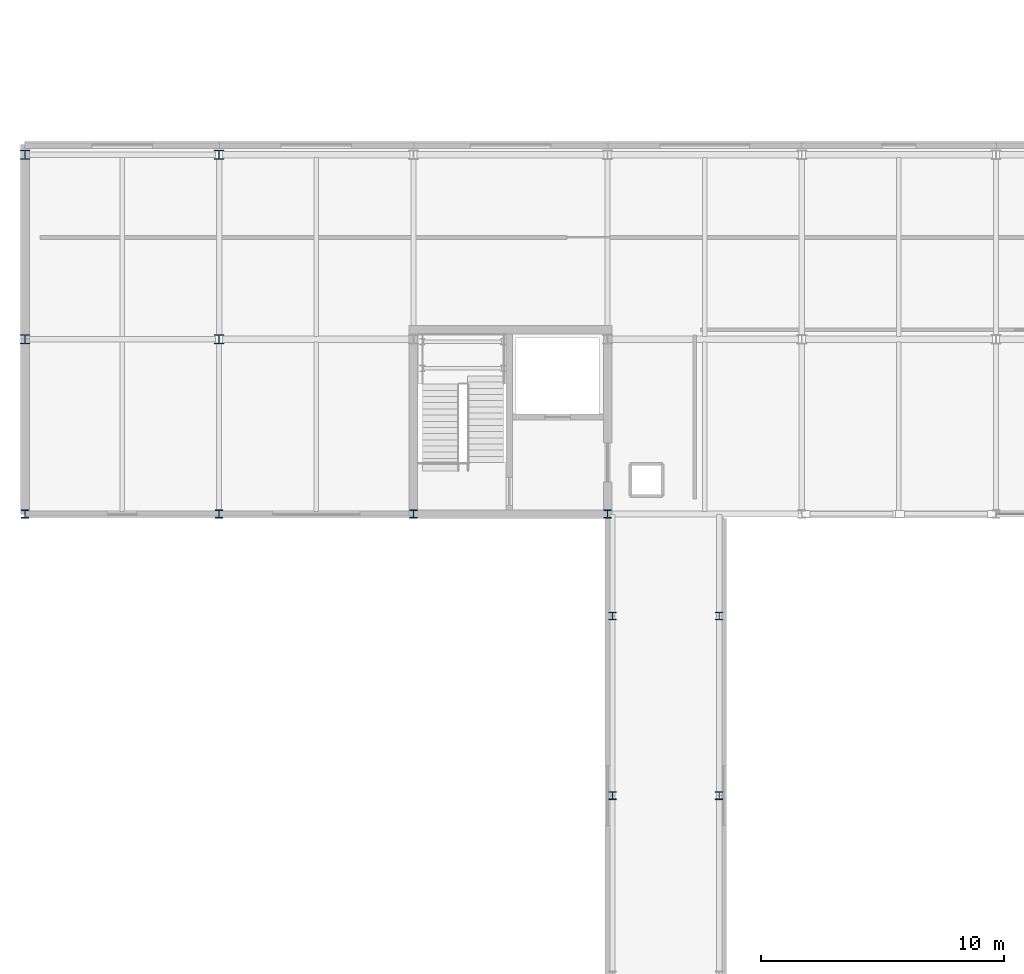
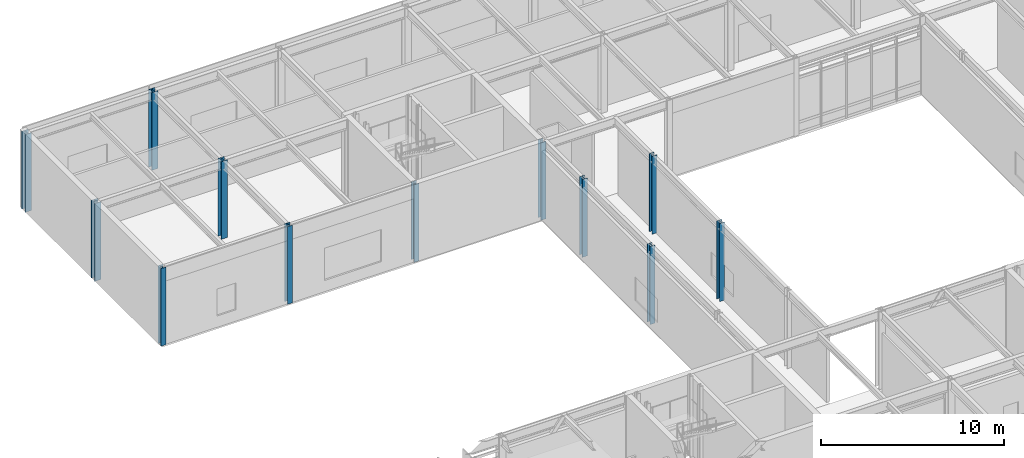
# One storey, part 5 of 94: 12 columns.
"""IFC4 building model written with IfcOpenShell, lengths in metres."""

from ifc_helpers import new_model, si_unit, direction, frame, origin, origin_2d, place, context, subcontext, project, spatial, i_section, extrude, material, material_profile, profile_set, type_object, element, save


model = new_model("IFC4")

# Units and contexts
model_context = context("Model", 3, precision=1e-05, world=origin(), true_north=direction((0.0, 1.0)))
body_context = subcontext(model_context, "Body", "Model", "MODEL_VIEW")
ifc_project = project(units=[si_unit("LENGTHUNIT", "METRE"), si_unit("AREAUNIT", "SQUARE_METRE"), si_unit("VOLUMEUNIT", "CUBIC_METRE"), si_unit("PLANEANGLEUNIT", "RADIAN"), si_unit("MASSUNIT", "GRAM", prefix="KILO")], contexts=[model_context])

# Site, building, storey
site_placement = place(None, origin())
site = spatial("IfcSite", under=ifc_project, at=site_placement, CompositionType="ELEMENT")
building_placement = place(site_placement, origin())
building = spatial("IfcBuilding", under=site, at=building_placement, Name="Zulena Civic Courthouse", CompositionType="ELEMENT")
storey_placement = place(building_placement, frame((0.0, 0.0, 5.39990234375)))
storey = spatial("IfcBuildingStorey", under=building, at=storey_placement, Name="L01", CompositionType="ELEMENT", Elevation=5.39990234375)

# Columns
ifc_material = material(Name="Steel ASTM A992 Grade 50", Category="steel")
ifc_material_profile_1 = material_profile(ifc_material, i_section(OverallWidth=0.31298828125, OverallDepth=0.3330078125, WebThickness=0.01806640625, FlangeThickness=0.0283203125, FilletRadius=0.01513671875, at=origin_2d()), Name="W12X120")
ifc_profile_set_1 = profile_set([ifc_material_profile_1], Name="Steel ASTM A992 Grade 50")
column_type_1 = type_object("IfcColumnType", Name="Col_W12X120", PredefinedType="COLUMN", material=ifc_profile_set_1)
for number, where, z_axis, x_axis, name in (
    (1, (4.0, 46.0, 0.0), (0.0, 0.0, 1.0), (1.0, 0.0, 0.0), "col:V5:L01:4.0:46.0"),
    (2, (12.0, 46.0, 0.0), (0.0, 0.0, 1.0), (1.0, 0.0, 0.0), "col:V5:L01:12.0:46.0"),
    (3, (20.0, 46.0, 0.0), (0.0, 0.0, 1.0), (1.0, 0.0, 0.0), "col:V5:L01:20.0:46.0"),
    (4, (28.0, 46.0, 0.0), (0.0, 0.0, 1.0), (1.0, 0.0, 0.0), "col:V5:L01:28.0:46.0"),
):
    element("IfcColumn", number, at=place(storey_placement, frame(where, z_axis=z_axis, x_axis=x_axis)), inside=storey, type_object=column_type_1, Name=name, PredefinedType="COLUMN", context=body_context, shape_type="SweptSolid", body=[
        extrude(i_section(OverallWidth=0.31298828125, OverallDepth=0.3330078125, WebThickness=0.01806640625, FlangeThickness=0.0283203125, FilletRadius=0.01513671875, at=origin_2d()), origin(), (0.0, 0.0, 1.0), 5.18505859375),
    ])
ifc_material_profile_2 = material_profile(ifc_material, i_section(OverallWidth=0.30908203125, OverallDepth=0.322998046875, WebThickness=0.013916015625, FlangeThickness=0.02294921875, FilletRadius=0.01513671875, at=origin_2d()), Name="W12X96")
ifc_profile_set_2 = profile_set([ifc_material_profile_2], Name="Steel ASTM A992 Grade 50")
column_type_2 = type_object("IfcColumnType", Name="Col_W12X96", PredefinedType="COLUMN", material=ifc_profile_set_2)
for number, where, z_axis, x_axis, name in (
    (5, (28.199951171875, 34.39990234375, 0.0), (0.0, 0.0, 1.0), (1.0, 0.0, 0.0), "col:bridge:BR-52J:L01:28.20:34.40"),
    (6, (28.199951171875, 41.800048828125, 0.0), (0.0, 0.0, 1.0), (1.0, 0.0, 0.0), "col:bridge:BR-52J:L01:28.20:41.80"),
    (7, (32.60009765625, 34.39990234375, 0.0), (0.0, 0.0, 1.0), (1.0, 0.0, 0.0), "col:bridge:BR-52J:L01:32.60:34.40"),
    (8, (32.60009765625, 41.800048828125, 0.0), (0.0, 0.0, 1.0), (1.0, 0.0, 0.0), "col:bridge:BR-52J:L01:32.60:41.80"),
):
    element("IfcColumn", number, at=place(storey_placement, frame(where, z_axis=z_axis, x_axis=x_axis)), inside=storey, type_object=column_type_2, Name=name, PredefinedType="COLUMN", context=body_context, shape_type="SweptSolid", body=[
        extrude(i_section(OverallWidth=0.30908203125, OverallDepth=0.322998046875, WebThickness=0.013916015625, FlangeThickness=0.02294921875, FilletRadius=0.01513671875, at=origin_2d()), origin(), (0.0, 0.0, 1.0), 5.205078125),
    ])
ifc_material_profile_3 = material_profile(ifc_material, i_section(OverallWidth=0.39404296875, OverallDepth=0.3759765625, WebThickness=0.017333984375, FlangeThickness=0.027587890625, FilletRadius=0.01513671875, at=origin_2d()), Name="W14X145")
ifc_profile_set_3 = profile_set([ifc_material_profile_3], Name="Steel ASTM A992 Grade 50")
column_type_3 = type_object("IfcColumnType", Name="Col_W14X145", PredefinedType="COLUMN", material=ifc_profile_set_3)
for number, where, z_axis, x_axis, name in (
    (9, (12.0, 53.199951171875, 0.0), (0.0, 0.0, 1.0), (1.0, 0.0, 0.0), "col:V5:L01:12.0:53.2"),
    (10, (12.0, 60.800048828125, 0.0), (0.0, 0.0, 1.0), (1.0, 0.0, 0.0), "col:V5:L01:12.0:60.8"),
):
    element("IfcColumn", number, at=place(storey_placement, frame(where, z_axis=z_axis, x_axis=x_axis)), inside=storey, type_object=column_type_3, Name=name, PredefinedType="COLUMN", context=body_context, shape_type="SweptSolid", body=[
        extrude(i_section(OverallWidth=0.39404296875, OverallDepth=0.3759765625, WebThickness=0.017333984375, FlangeThickness=0.027587890625, FilletRadius=0.01513671875, at=origin_2d()), origin(), (0.0, 0.0, 1.0), 5.18505859375),
    ])
ifc_material_profile_4 = material_profile(ifc_material, i_section(OverallWidth=0.40087890625, OverallDepth=0.39892578125, WebThickness=0.02490234375, FlangeThickness=0.03955078125, FilletRadius=0.01513671875, at=origin_2d()), Name="W14X211")
ifc_profile_set_4 = profile_set([ifc_material_profile_4], Name="Steel ASTM A992 Grade 50")
column_type_4 = type_object("IfcColumnType", Name="Col_W14X211", PredefinedType="COLUMN", material=ifc_profile_set_4)
for number, where, z_axis, x_axis, name in (
    (11, (4.0, 53.199951171875, 0.0), (0.0, 0.0, 1.0), (1.0, 0.0, 0.0), "col:V5:L01:4.0:53.2"),
    (12, (4.0, 60.800048828125, 0.0), (0.0, 0.0, 1.0), (1.0, 0.0, 0.0), "col:V5:L01:4.0:60.8"),
):
    element("IfcColumn", number, at=place(storey_placement, frame(where, z_axis=z_axis, x_axis=x_axis)), inside=storey, type_object=column_type_4, Name=name, PredefinedType="COLUMN", context=body_context, shape_type="SweptSolid", body=[
        extrude(i_section(OverallWidth=0.40087890625, OverallDepth=0.39892578125, WebThickness=0.02490234375, FlangeThickness=0.03955078125, FilletRadius=0.01513671875, at=origin_2d()), origin(), (0.0, 0.0, 1.0), 5.18505859375),
    ])

save(model, "model.ifc")
